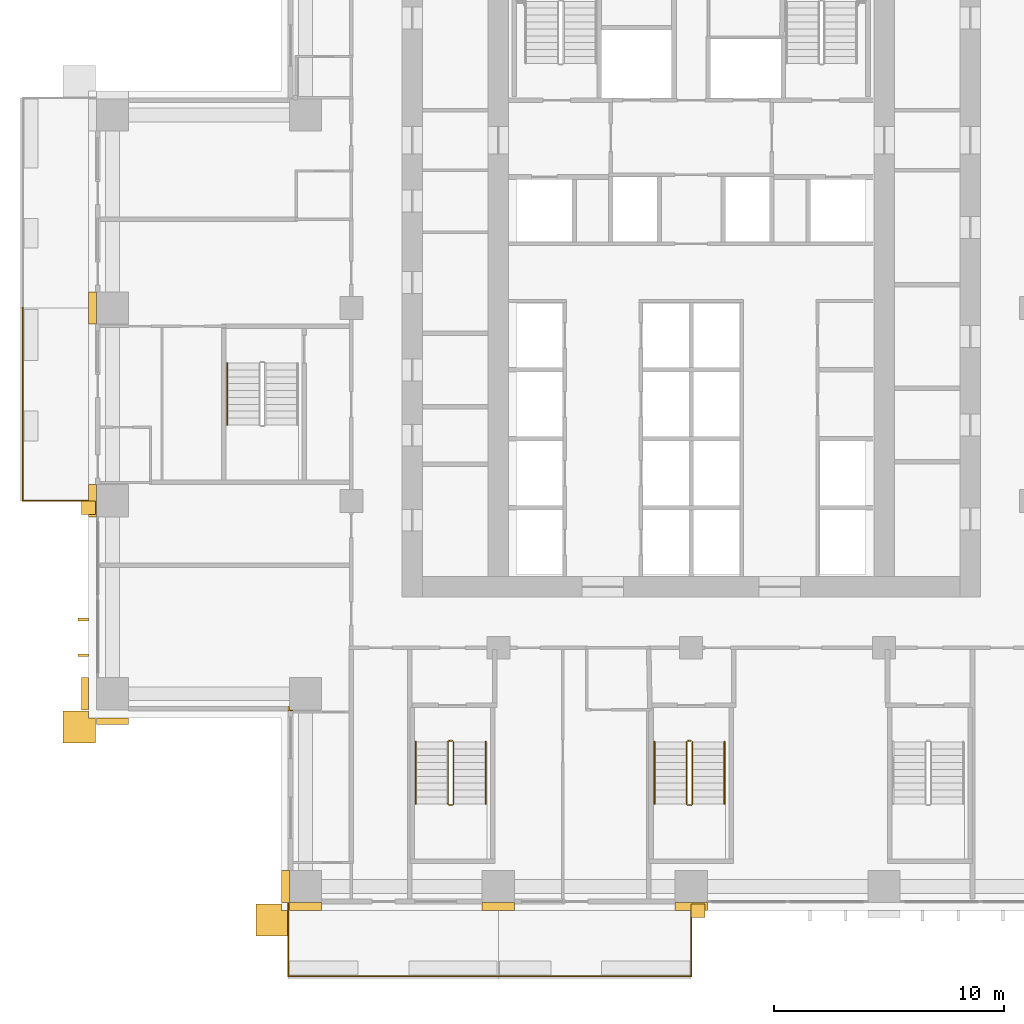
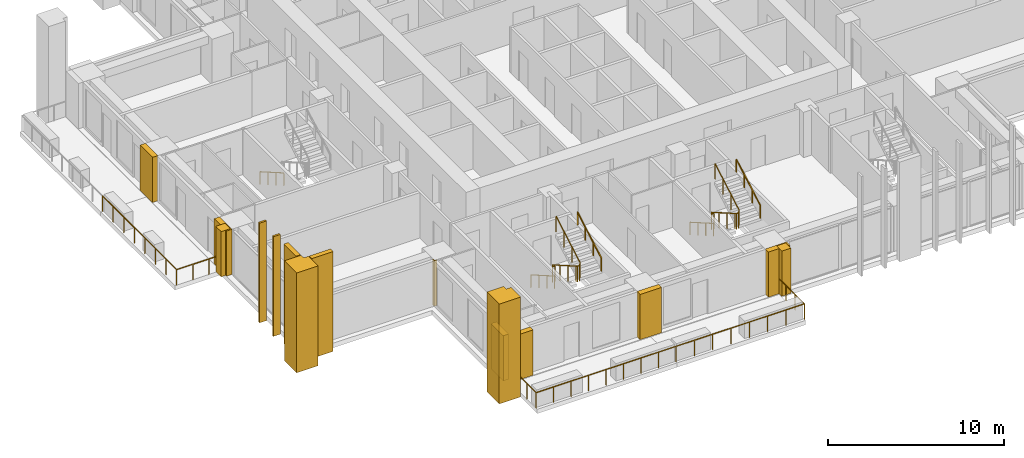
# One storey, part 14 of 18: 15 coverings, 10 railings.
"""IFC4 building model written with IfcOpenShell, lengths in metres."""

from ifc_helpers import new_model, si_unit, direction, frame, origin, origin_2d, place, context, subcontext, project, spatial, polyline, rectangle, outline, extrude, material, layer, layer_set, type_object, element, save


model = new_model("IFC4")

# Units and contexts
model_context = context("Model", 3, precision=1e-05, world=origin(), true_north=direction((0.0, 1.0)))
body_context = subcontext(model_context, "Body", "Model", "MODEL_VIEW")
ifc_project = project(units=[si_unit("LENGTHUNIT", "METRE"), si_unit("AREAUNIT", "SQUARE_METRE"), si_unit("VOLUMEUNIT", "CUBIC_METRE"), si_unit("PLANEANGLEUNIT", "RADIAN"), si_unit("MASSUNIT", "GRAM", prefix="KILO")], contexts=[model_context])

# Site, building, storey
site_placement = place(None, origin())
site = spatial("IfcSite", under=ifc_project, at=site_placement, CompositionType="ELEMENT")
building_placement = place(site_placement, origin())
building = spatial("IfcBuilding", under=site, at=building_placement, Name="Vermilion Ogive Tower", CompositionType="ELEMENT")
storey_placement = place(building_placement, frame((0.0, 0.0, 55.199951171875)))
storey = spatial("IfcBuildingStorey", under=building, at=storey_placement, Name="L12", CompositionType="ELEMENT", Elevation=55.199951171875)

# Railings
ifc_material_1 = material(Name="Stainless steel and glass", Category="steel")
railing_type_1 = type_object("IfcRailingType", Name="Balcony guard", PredefinedType="GUARDRAIL", material=ifc_material_1)
railing_1_placement = place(storey_placement, frame((-17.550048828125, -21.75, -0.0400390625)))
element("IfcRailing", 1, at=railing_1_placement, inside=storey, type_object=railing_type_1, Name="Guard S01", PredefinedType="GUARDRAIL", context=body_context, shape_type="SweptSolid", body=[
    extrude(rectangle(XDim=0.048095703125, YDim=0.048095703125, at=origin_2d()), frame((0.0, 0.0, 1.076171875), z_axis=(0.0, -1.0, 0.0), x_axis=(1.0, 0.0, 0.0)), (0.0, 0.0, 1.0), 3.159912109375),
    extrude(rectangle(XDim=0.048095703125, YDim=0.048095703125, at=origin_2d()), frame((0.0, -3.159912109375, 1.076171875), z_axis=(1.0, 0.0, 0.0), x_axis=(0.0, 1.0, 0.0)), (0.0, 0.0, 1.0), 9.150146484375),
    extrude(rectangle(XDim=0.0419921875, YDim=0.0419921875, at=origin_2d()), origin(), (0.0, 0.0, 1.0), 1.052001953125),
    extrude(rectangle(XDim=0.0419921875, YDim=0.0419921875, at=origin_2d()), frame((0.0, -1.05322265625, 0.0)), (0.0, 0.0, 1.0), 1.052001953125),
    extrude(rectangle(XDim=0.0419921875, YDim=0.0419921875, at=origin_2d()), frame((0.0, -2.106689453125, 0.0)), (0.0, 0.0, 1.0), 1.052001953125),
    extrude(rectangle(XDim=0.0419921875, YDim=0.0419921875, at=origin_2d()), frame((0.0, -3.159912109375, 0.0)), (0.0, 0.0, 1.0), 1.052001953125),
    extrude(rectangle(XDim=0.0419921875, YDim=0.0419921875, at=origin_2d()), frame((1.143798828125, -3.159912109375, 0.0)), (0.0, 0.0, 1.0), 1.052001953125),
    extrude(rectangle(XDim=0.0419921875, YDim=0.0419921875, at=origin_2d()), frame((2.28759765625, -3.159912109375, 0.0)), (0.0, 0.0, 1.0), 1.052001953125),
    extrude(rectangle(XDim=0.0419921875, YDim=0.0419921875, at=origin_2d()), frame((3.431396484375, -3.159912109375, 0.0)), (0.0, 0.0, 1.0), 1.052001953125),
    extrude(rectangle(XDim=0.0419921875, YDim=0.0419921875, at=origin_2d()), frame((4.5751953125, -3.159912109375, 0.0)), (0.0, 0.0, 1.0), 1.052001953125),
    extrude(rectangle(XDim=0.0419921875, YDim=0.0419921875, at=origin_2d()), frame((5.71875, -3.159912109375, 0.0)), (0.0, 0.0, 1.0), 1.052001953125),
    extrude(rectangle(XDim=0.0419921875, YDim=0.0419921875, at=origin_2d()), frame((6.862548828125, -3.159912109375, 0.0)), (0.0, 0.0, 1.0), 1.052001953125),
    extrude(rectangle(XDim=0.0419921875, YDim=0.0419921875, at=origin_2d()), frame((8.00634765625, -3.159912109375, 0.0)), (0.0, 0.0, 1.0), 1.052001953125),
    extrude(rectangle(XDim=0.0419921875, YDim=0.0419921875, at=origin_2d()), frame((9.150146484375, -3.159912109375, 0.0)), (0.0, 0.0, 1.0), 1.052001953125),
])
railing_2_placement = place(storey_placement, frame((-8.39990234375, -24.909912109375, -0.0400390625)))
element("IfcRailing", 2, at=railing_2_placement, inside=storey, type_object=railing_type_1, Name="Guard S02", PredefinedType="GUARDRAIL", context=body_context, shape_type="SweptSolid", body=[
    extrude(rectangle(XDim=0.048095703125, YDim=0.048095703125, at=origin_2d()), frame((0.0, 0.0, 1.076171875), z_axis=(1.0, 0.0, 0.0), x_axis=(0.0, 1.0, 0.0)), (0.0, 0.0, 1.0), 8.39990234375),
    extrude(rectangle(XDim=0.048095703125, YDim=0.048095703125, at=origin_2d()), frame((8.39990234375, 0.0, 1.076171875), z_axis=(0.0, 1.0, 0.0), x_axis=(-1.0, 0.0, 0.0)), (0.0, 0.0, 1.0), 3.159912109375),
    extrude(rectangle(XDim=0.0419921875, YDim=0.0419921875, at=origin_2d()), origin(), (0.0, 0.0, 1.0), 1.052001953125),
    extrude(rectangle(XDim=0.0419921875, YDim=0.0419921875, at=origin_2d()), frame((1.199951171875, 0.0, 0.0)), (0.0, 0.0, 1.0), 1.052001953125),
    extrude(rectangle(XDim=0.0419921875, YDim=0.0419921875, at=origin_2d()), frame((2.39990234375, 0.0, 0.0)), (0.0, 0.0, 1.0), 1.052001953125),
    extrude(rectangle(XDim=0.0419921875, YDim=0.0419921875, at=origin_2d()), frame((3.599853515625, 0.0, 0.0)), (0.0, 0.0, 1.0), 1.052001953125),
    extrude(rectangle(XDim=0.0419921875, YDim=0.0419921875, at=origin_2d()), frame((4.800048828125, 0.0, 0.0)), (0.0, 0.0, 1.0), 1.052001953125),
    extrude(rectangle(XDim=0.0419921875, YDim=0.0419921875, at=origin_2d()), frame((6.0, 0.0, 0.0)), (0.0, 0.0, 1.0), 1.052001953125),
    extrude(rectangle(XDim=0.0419921875, YDim=0.0419921875, at=origin_2d()), frame((7.199951171875, 0.0, 0.0)), (0.0, 0.0, 1.0), 1.052001953125),
    extrude(rectangle(XDim=0.0419921875, YDim=0.0419921875, at=origin_2d()), frame((8.39990234375, 0.0, 0.0)), (0.0, 0.0, 1.0), 1.052001953125),
    extrude(rectangle(XDim=0.0419921875, YDim=0.0419921875, at=origin_2d()), frame((8.39990234375, 1.05322265625, 0.0)), (0.0, 0.0, 1.0), 1.052001953125),
    extrude(rectangle(XDim=0.0419921875, YDim=0.0419921875, at=origin_2d()), frame((8.39990234375, 2.106689453125, 0.0)), (0.0, 0.0, 1.0), 1.052001953125),
    extrude(rectangle(XDim=0.0419921875, YDim=0.0419921875, at=origin_2d()), frame((8.39990234375, 3.159912109375, 0.0)), (0.0, 0.0, 1.0), 1.052001953125),
])
railing_3_placement = place(storey_placement, frame((-29.110107421875, 4.199951171875, -0.0400390625)))
element("IfcRailing", 3, at=railing_3_placement, inside=storey, type_object=railing_type_1, Name="Guard W02", PredefinedType="GUARDRAIL", context=body_context, shape_type="SweptSolid", body=[
    extrude(rectangle(XDim=0.048095703125, YDim=0.048095703125, at=origin_2d()), frame((0.0, 0.0, 1.076171875), z_axis=(0.0, -1.0, 0.0), x_axis=(1.0, 0.0, 0.0)), (0.0, 0.0, 1.0), 8.39990234375),
    extrude(rectangle(XDim=0.048095703125, YDim=0.048095703125, at=origin_2d()), frame((0.0, -8.39990234375, 1.076171875), z_axis=(1.0, 0.0, 0.0), x_axis=(0.0, 1.0, 0.0)), (0.0, 0.0, 1.0), 3.16015625),
    extrude(rectangle(XDim=0.0419921875, YDim=0.0419921875, at=origin_2d()), origin(), (0.0, 0.0, 1.0), 1.052001953125),
    extrude(rectangle(XDim=0.0419921875, YDim=0.0419921875, at=origin_2d()), frame((0.0, -1.199951171875, 0.0)), (0.0, 0.0, 1.0), 1.052001953125),
    extrude(rectangle(XDim=0.0419921875, YDim=0.0419921875, at=origin_2d()), frame((0.0, -2.39990234375, 0.0)), (0.0, 0.0, 1.0), 1.052001953125),
    extrude(rectangle(XDim=0.0419921875, YDim=0.0419921875, at=origin_2d()), frame((0.0, -3.599853515625, 0.0)), (0.0, 0.0, 1.0), 1.052001953125),
    extrude(rectangle(XDim=0.0419921875, YDim=0.0419921875, at=origin_2d()), frame((0.0, -4.800048828125, 0.0)), (0.0, 0.0, 1.0), 1.052001953125),
    extrude(rectangle(XDim=0.0419921875, YDim=0.0419921875, at=origin_2d()), frame((0.0, -6.0, 0.0)), (0.0, 0.0, 1.0), 1.052001953125),
    extrude(rectangle(XDim=0.0419921875, YDim=0.0419921875, at=origin_2d()), frame((0.0, -7.199951171875, 0.0)), (0.0, 0.0, 1.0), 1.052001953125),
    extrude(rectangle(XDim=0.0419921875, YDim=0.0419921875, at=origin_2d()), frame((0.0, -8.39990234375, 0.0)), (0.0, 0.0, 1.0), 1.052001953125),
    extrude(rectangle(XDim=0.0419921875, YDim=0.0419921875, at=origin_2d()), frame((1.053466796875, -8.39990234375, 0.0)), (0.0, 0.0, 1.0), 1.052001953125),
    extrude(rectangle(XDim=0.0419921875, YDim=0.0419921875, at=origin_2d()), frame((2.106689453125, -8.39990234375, 0.0)), (0.0, 0.0, 1.0), 1.052001953125),
    extrude(rectangle(XDim=0.0419921875, YDim=0.0419921875, at=origin_2d()), frame((3.16015625, -8.39990234375, 0.0)), (0.0, 0.0, 1.0), 1.052001953125),
])

# Coverings
ifc_material_2 = material(Name="Glazed ceramic screen")
ifc_layer = layer(ifc_material_2, 0.14990234375)
ifc_layer_set = layer_set([ifc_layer], Name="Ceramic solar screen fin")
covering_type_1 = type_object("IfcCoveringType", Name="Ceramic solar screen fin", PredefinedType="CLADDING", material=ifc_layer_set)
covering_1_placement = place(storey_placement, frame((0.0, 0.0, -0.320068359375)))
element("IfcCovering", 4, at=covering_1_placement, inside=storey, type_object=covering_type_1, Name="Solar screen blade W971", PredefinedType="CLADDING", context=body_context, shape_type="SweptSolid", body=[
    extrude(outline(polyline([(-26.699951171875, -9.31494140625), (-26.699951171875, -9.43505859375), (-26.25, -9.43505859375), (-26.25, -9.31494140625), (-26.699951171875, -9.31494140625)])), origin(), (0.0, 0.0, 1.0), 6.900146484375),
])
covering_2_placement = place(storey_placement, frame((0.0, 0.0, -0.320068359375)))
element("IfcCovering", 5, at=covering_2_placement, inside=storey, type_object=covering_type_1, Name="Solar screen blade W972", PredefinedType="CLADDING", context=body_context, shape_type="SweptSolid", body=[
    extrude(outline(polyline([(-26.699951171875, -10.864990234375), (-26.699951171875, -10.985107421875), (-26.25, -10.985107421875), (-26.25, -10.864990234375), (-26.699951171875, -10.864990234375)])), origin(), (0.0, 0.0, 1.0), 6.900146484375),
])

# Railings
ifc_material_3 = material(Name="Steel S355 painted", Category="steel")
railing_type_2 = type_object("IfcRailingType", Name="Stair guard 1100", PredefinedType="GUARDRAIL", material=ifc_material_3)
railing_4_placement = place(storey_placement, frame((-10.39990234375, -14.64990234375, 0.0)))
element("IfcRailing", 6, at=railing_4_placement, inside=storey, type_object=railing_type_2, Name="L12 ST3 stair guard 4", PredefinedType="GUARDRAIL", context=body_context, shape_type="SweptSolid", body=[
    extrude(rectangle(XDim=0.048095703125, YDim=0.048095703125, at=origin_2d()), frame((0.0, 0.0, 1.076171875), z_axis=(-1.0, 0.0, 0.0), x_axis=(0.0, -1.0, 0.0)), (0.0, 0.0, 1.0), 0.150146484375),
    extrude(rectangle(XDim=0.048095703125, YDim=0.048095703125, at=origin_2d()), frame((-0.150146484375, 0.0, 1.076171875), z_axis=(-0.268277960024, -0.268277960024, 0.925231793839), x_axis=(0.707106781187, -0.707106781187, 0.0)), (0.0, 0.0, 1.0), 0.1865234375),
    extrude(rectangle(XDim=0.048095703125, YDim=0.048095703125, at=origin_2d()), frame((-0.2001953125, -0.050048828125, 1.24853515625), z_axis=(0.0, -0.866903762492, 0.498475542607), x_axis=(1.0, 0.0, 0.0)), (0.0, 0.0, 1.0), 3.114501953125),
    extrude(rectangle(XDim=0.048095703125, YDim=0.048095703125, at=origin_2d()), frame((-0.2001953125, -2.75, 2.80126953125), z_axis=(0.707106781187, -0.707106781187, 0.0), x_axis=(0.707106781187, 0.707106781187, 0.0)), (0.0, 0.0, 1.0), 0.07080078125),
    extrude(rectangle(XDim=0.048095703125, YDim=0.048095703125, at=origin_2d()), frame((-0.150146484375, -2.800048828125, 2.80126953125), z_axis=(1.0, 0.0, 0.0), x_axis=(0.0, 1.0, 0.0)), (0.0, 0.0, 1.0), 0.150146484375),
    extrude(rectangle(XDim=0.048095703125, YDim=0.048095703125, at=origin_2d()), frame((0.0, -2.800048828125, 2.80126953125), z_axis=(0.267386790225, 0.268697509785, 0.925368009307), x_axis=(-0.708833529934, 0.705375805398, 0.0)), (0.0, 0.0, 1.0), 0.186279296875),
    extrude(rectangle(XDim=0.048095703125, YDim=0.048095703125, at=origin_2d()), frame((0.0498046875, -2.75, 2.9736328125), z_axis=(0.0, 0.866903762492, 0.498475542607), x_axis=(-1.0, 0.0, 0.0)), (0.0, 0.0, 1.0), 3.114501953125),
    extrude(rectangle(XDim=0.0419921875, YDim=0.0419921875, at=origin_2d()), origin(), (0.0, 0.0, 1.0), 1.052001953125),
    extrude(rectangle(XDim=0.0419921875, YDim=0.0419921875, at=origin_2d()), frame((-0.150146484375, 0.0, 0.0)), (0.0, 0.0, 1.0), 1.052001953125),
    extrude(rectangle(XDim=0.0419921875, YDim=0.0419921875, at=origin_2d()), frame((-0.2001953125, -0.050048828125, 0.172607421875)), (0.0, 0.0, 1.0), 1.052001953125),
    extrude(rectangle(XDim=0.0419921875, YDim=0.0419921875, at=origin_2d()), frame((-0.2001953125, -0.949951171875, 0.690185546875)), (0.0, 0.0, 1.0), 1.052001953125),
    extrude(rectangle(XDim=0.0419921875, YDim=0.0419921875, at=origin_2d()), frame((-0.2001953125, -1.85009765625, 1.20751953125)), (0.0, 0.0, 1.0), 1.052001953125),
    extrude(rectangle(XDim=0.0419921875, YDim=0.0419921875, at=origin_2d()), frame((-0.2001953125, -2.75, 1.72509765625)), (0.0, 0.0, 1.0), 1.052001953125),
    extrude(rectangle(XDim=0.0419921875, YDim=0.0419921875, at=origin_2d()), frame((-0.150146484375, -2.800048828125, 1.72509765625)), (0.0, 0.0, 1.0), 1.052001953125),
    extrude(rectangle(XDim=0.0419921875, YDim=0.0419921875, at=origin_2d()), frame((0.0, -2.800048828125, 1.72509765625)), (0.0, 0.0, 1.0), 1.052001953125),
    extrude(rectangle(XDim=0.0419921875, YDim=0.0419921875, at=origin_2d()), frame((0.0498046875, -2.75, 1.8974609375)), (0.0, 0.0, 1.0), 1.052001953125),
    extrude(rectangle(XDim=0.0419921875, YDim=0.0419921875, at=origin_2d()), frame((0.0498046875, -1.85009765625, 2.4150390625)), (0.0, 0.0, 1.0), 1.052001953125),
    extrude(rectangle(XDim=0.0419921875, YDim=0.0419921875, at=origin_2d()), frame((0.0498046875, -0.949951171875, 2.932373046875)), (0.0, 0.0, 1.0), 1.052001953125),
    extrude(rectangle(XDim=0.0419921875, YDim=0.0419921875, at=origin_2d()), frame((0.0498046875, -0.050048828125, 3.449951171875)), (0.0, 0.0, 1.0), 1.052001953125),
])
railing_5_placement = place(storey_placement, frame((0.0, -14.64990234375, 0.0)))
element("IfcRailing", 7, at=railing_5_placement, inside=storey, type_object=railing_type_2, Name="L12 ST4 stair guard 4", PredefinedType="GUARDRAIL", context=body_context, shape_type="SweptSolid", body=[
    extrude(rectangle(XDim=0.048095703125, YDim=0.048095703125, at=origin_2d()), frame((0.0, 0.0, 1.076171875), z_axis=(-1.0, 0.0, 0.0), x_axis=(0.0, -1.0, 0.0)), (0.0, 0.0, 1.0), 0.14990234375),
    extrude(rectangle(XDim=0.048095703125, YDim=0.048095703125, at=origin_2d()), frame((-0.14990234375, 0.0, 1.076171875), z_axis=(-0.268277960024, -0.268277960024, 0.925231793839), x_axis=(0.707106781187, -0.707106781187, 0.0)), (0.0, 0.0, 1.0), 0.1865234375),
    extrude(rectangle(XDim=0.048095703125, YDim=0.048095703125, at=origin_2d()), frame((-0.199951171875, -0.050048828125, 1.24853515625), z_axis=(0.0, -0.866903762492, 0.498475542607), x_axis=(1.0, 0.0, 0.0)), (0.0, 0.0, 1.0), 3.114501953125),
    extrude(rectangle(XDim=0.048095703125, YDim=0.048095703125, at=origin_2d()), frame((-0.199951171875, -2.75, 2.80126953125), z_axis=(0.707106781187, -0.707106781187, 0.0), x_axis=(0.707106781187, 0.707106781187, 0.0)), (0.0, 0.0, 1.0), 0.07080078125),
    extrude(rectangle(XDim=0.048095703125, YDim=0.048095703125, at=origin_2d()), frame((-0.14990234375, -2.800048828125, 2.80126953125), z_axis=(1.0, 0.0, 0.0), x_axis=(0.0, 1.0, 0.0)), (0.0, 0.0, 1.0), 0.14990234375),
    extrude(rectangle(XDim=0.048095703125, YDim=0.048095703125, at=origin_2d()), frame((0.0, -2.800048828125, 2.80126953125), z_axis=(0.268603158521, 0.268603158521, 0.925043072762), x_axis=(-0.707106781187, 0.707106781187, 0.0)), (0.0, 0.0, 1.0), 0.186279296875),
    extrude(rectangle(XDim=0.048095703125, YDim=0.048095703125, at=origin_2d()), frame((0.050048828125, -2.75, 2.9736328125), z_axis=(0.0, 0.866903762492, 0.498475542607), x_axis=(-1.0, 0.0, 0.0)), (0.0, 0.0, 1.0), 3.114501953125),
    extrude(rectangle(XDim=0.0419921875, YDim=0.0419921875, at=origin_2d()), origin(), (0.0, 0.0, 1.0), 1.052001953125),
    extrude(rectangle(XDim=0.0419921875, YDim=0.0419921875, at=origin_2d()), frame((-0.14990234375, 0.0, 0.0)), (0.0, 0.0, 1.0), 1.052001953125),
    extrude(rectangle(XDim=0.0419921875, YDim=0.0419921875, at=origin_2d()), frame((-0.199951171875, -0.050048828125, 0.172607421875)), (0.0, 0.0, 1.0), 1.052001953125),
    extrude(rectangle(XDim=0.0419921875, YDim=0.0419921875, at=origin_2d()), frame((-0.199951171875, -0.949951171875, 0.690185546875)), (0.0, 0.0, 1.0), 1.052001953125),
    extrude(rectangle(XDim=0.0419921875, YDim=0.0419921875, at=origin_2d()), frame((-0.199951171875, -1.85009765625, 1.20751953125)), (0.0, 0.0, 1.0), 1.052001953125),
    extrude(rectangle(XDim=0.0419921875, YDim=0.0419921875, at=origin_2d()), frame((-0.199951171875, -2.75, 1.72509765625)), (0.0, 0.0, 1.0), 1.052001953125),
    extrude(rectangle(XDim=0.0419921875, YDim=0.0419921875, at=origin_2d()), frame((-0.14990234375, -2.800048828125, 1.72509765625)), (0.0, 0.0, 1.0), 1.052001953125),
    extrude(rectangle(XDim=0.0419921875, YDim=0.0419921875, at=origin_2d()), frame((0.0, -2.800048828125, 1.72509765625)), (0.0, 0.0, 1.0), 1.052001953125),
    extrude(rectangle(XDim=0.0419921875, YDim=0.0419921875, at=origin_2d()), frame((0.050048828125, -2.75, 1.8974609375)), (0.0, 0.0, 1.0), 1.052001953125),
    extrude(rectangle(XDim=0.0419921875, YDim=0.0419921875, at=origin_2d()), frame((0.050048828125, -1.85009765625, 2.4150390625)), (0.0, 0.0, 1.0), 1.052001953125),
    extrude(rectangle(XDim=0.0419921875, YDim=0.0419921875, at=origin_2d()), frame((0.050048828125, -0.949951171875, 2.932373046875)), (0.0, 0.0, 1.0), 1.052001953125),
    extrude(rectangle(XDim=0.0419921875, YDim=0.0419921875, at=origin_2d()), frame((0.050048828125, -0.050048828125, 3.449951171875)), (0.0, 0.0, 1.0), 1.052001953125),
])
ifc_material_4 = material(Name="Stainless steel", Category="steel")
railing_type_3 = type_object("IfcRailingType", Name="Stair handrail 900", PredefinedType="HANDRAIL", material=ifc_material_4)
railing_6_placement = place(storey_placement, frame((-12.0, -14.699951171875, 0.172607421875)))
element("IfcRailing", 8, at=railing_6_placement, inside=storey, type_object=railing_type_3, Name="L12 ST3 stair handrail 1", PredefinedType="HANDRAIL", context=body_context, shape_type="SweptSolid", body=[
    extrude(rectangle(XDim=0.048095703125, YDim=0.048095703125, at=origin_2d()), frame((0.0, 0.0, 0.8759765625), z_axis=(0.0, -0.866903762492, 0.498475542607), x_axis=(1.0, 0.0, 0.0)), (0.0, 0.0, 1.0), 3.114501953125),
    extrude(rectangle(XDim=0.0419921875, YDim=0.0419921875, at=origin_2d()), origin(), (0.0, 0.0, 1.0), 0.851806640625),
    extrude(rectangle(XDim=0.0419921875, YDim=0.0419921875, at=origin_2d()), frame((0.0, -0.89990234375, 0.517578125)), (0.0, 0.0, 1.0), 0.851806640625),
    extrude(rectangle(XDim=0.0419921875, YDim=0.0419921875, at=origin_2d()), frame((0.0, -1.800048828125, 1.034912109375)), (0.0, 0.0, 1.0), 0.851806640625),
    extrude(rectangle(XDim=0.0419921875, YDim=0.0419921875, at=origin_2d()), frame((0.0, -2.699951171875, 1.552490234375)), (0.0, 0.0, 1.0), 0.851806640625),
])
railing_7_placement = place(storey_placement, frame((-8.949951171875, -17.39990234375, 1.8974609375)))
element("IfcRailing", 9, at=railing_7_placement, inside=storey, type_object=railing_type_3, Name="L12 ST3 stair handrail 2", PredefinedType="HANDRAIL", context=body_context, shape_type="SweptSolid", body=[
    extrude(rectangle(XDim=0.048095703125, YDim=0.048095703125, at=origin_2d()), frame((0.0, 0.0, 0.8759765625), z_axis=(0.0, 0.866903762492, 0.498475542607), x_axis=(-1.0, 0.0, 0.0)), (0.0, 0.0, 1.0), 3.114501953125),
    extrude(rectangle(XDim=0.0419921875, YDim=0.0419921875, at=origin_2d()), origin(), (0.0, 0.0, 1.0), 0.851806640625),
    extrude(rectangle(XDim=0.0419921875, YDim=0.0419921875, at=origin_2d()), frame((0.0, 0.89990234375, 0.517578125)), (0.0, 0.0, 1.0), 0.851806640625),
    extrude(rectangle(XDim=0.0419921875, YDim=0.0419921875, at=origin_2d()), frame((0.0, 1.800048828125, 1.034912109375)), (0.0, 0.0, 1.0), 0.851806640625),
    extrude(rectangle(XDim=0.0419921875, YDim=0.0419921875, at=origin_2d()), frame((0.0, 2.699951171875, 1.552490234375)), (0.0, 0.0, 1.0), 0.851806640625),
])
railing_8_placement = place(storey_placement, frame((-1.60009765625, -14.699951171875, 0.172607421875)))
element("IfcRailing", 10, at=railing_8_placement, inside=storey, type_object=railing_type_3, Name="L12 ST4 stair handrail 1", PredefinedType="HANDRAIL", context=body_context, shape_type="SweptSolid", body=[
    extrude(rectangle(XDim=0.048095703125, YDim=0.048095703125, at=origin_2d()), frame((0.0, 0.0, 0.8759765625), z_axis=(0.0, -0.866903762492, 0.498475542607), x_axis=(1.0, 0.0, 0.0)), (0.0, 0.0, 1.0), 3.114501953125),
    extrude(rectangle(XDim=0.0419921875, YDim=0.0419921875, at=origin_2d()), origin(), (0.0, 0.0, 1.0), 0.851806640625),
    extrude(rectangle(XDim=0.0419921875, YDim=0.0419921875, at=origin_2d()), frame((0.0, -0.89990234375, 0.517578125)), (0.0, 0.0, 1.0), 0.851806640625),
    extrude(rectangle(XDim=0.0419921875, YDim=0.0419921875, at=origin_2d()), frame((0.0, -1.800048828125, 1.034912109375)), (0.0, 0.0, 1.0), 0.851806640625),
    extrude(rectangle(XDim=0.0419921875, YDim=0.0419921875, at=origin_2d()), frame((0.0, -2.699951171875, 1.552490234375)), (0.0, 0.0, 1.0), 0.851806640625),
])
railing_9_placement = place(storey_placement, frame((1.449951171875, -17.39990234375, 1.8974609375)))
element("IfcRailing", 11, at=railing_9_placement, inside=storey, type_object=railing_type_3, Name="L12 ST4 stair handrail 2", PredefinedType="HANDRAIL", context=body_context, shape_type="SweptSolid", body=[
    extrude(rectangle(XDim=0.048095703125, YDim=0.048095703125, at=origin_2d()), frame((0.0, 0.0, 0.8759765625), z_axis=(0.0, 0.866903762492, 0.498475542607), x_axis=(-1.0, 0.0, 0.0)), (0.0, 0.0, 1.0), 3.114501953125),
    extrude(rectangle(XDim=0.0419921875, YDim=0.0419921875, at=origin_2d()), origin(), (0.0, 0.0, 1.0), 0.851806640625),
    extrude(rectangle(XDim=0.0419921875, YDim=0.0419921875, at=origin_2d()), frame((0.0, 0.89990234375, 0.517578125)), (0.0, 0.0, 1.0), 0.851806640625),
    extrude(rectangle(XDim=0.0419921875, YDim=0.0419921875, at=origin_2d()), frame((0.0, 1.800048828125, 1.034912109375)), (0.0, 0.0, 1.0), 0.851806640625),
    extrude(rectangle(XDim=0.0419921875, YDim=0.0419921875, at=origin_2d()), frame((0.0, 2.699951171875, 1.552490234375)), (0.0, 0.0, 1.0), 0.851806640625),
])
railing_10_placement = place(storey_placement, frame((-20.199951171875, 1.800048828125, 0.172607421875)))
element("IfcRailing", 12, at=railing_10_placement, inside=storey, type_object=railing_type_3, Name="L12 ST9 stair handrail 1", PredefinedType="HANDRAIL", context=body_context, shape_type="SweptSolid", body=[
    extrude(rectangle(XDim=0.048095703125, YDim=0.048095703125, at=origin_2d()), frame((0.0, 0.0, 0.8759765625), z_axis=(0.0, -0.866903762492, 0.498475542607), x_axis=(1.0, 0.0, 0.0)), (0.0, 0.0, 1.0), 3.114501953125),
    extrude(rectangle(XDim=0.0419921875, YDim=0.0419921875, at=origin_2d()), origin(), (0.0, 0.0, 1.0), 0.851806640625),
    extrude(rectangle(XDim=0.0419921875, YDim=0.0419921875, at=origin_2d()), frame((0.0, -0.89990234375, 0.517578125)), (0.0, 0.0, 1.0), 0.851806640625),
    extrude(rectangle(XDim=0.0419921875, YDim=0.0419921875, at=origin_2d()), frame((0.0, -1.800048828125, 1.034912109375)), (0.0, 0.0, 1.0), 0.851806640625),
    extrude(rectangle(XDim=0.0419921875, YDim=0.0419921875, at=origin_2d()), frame((0.0, -2.699951171875, 1.552490234375)), (0.0, 0.0, 1.0), 0.851806640625),
])

# Coverings
ifc_material_5 = material(Name="Stone cladding", Category="masonry")
covering_type_2 = type_object("IfcCoveringType", Name="Stone corner buttress", PredefinedType="CLADDING", material=ifc_material_5)
covering_3_placement = place(storey_placement, origin())
element("IfcCovering", 13, at=covering_3_placement, inside=storey, type_object=covering_type_2, Name="Stone crease pier SK", PredefinedType="CLADDING", context=body_context, shape_type="SweptSolid", body=[
    extrude(outline(polyline([(0.0, -22.35009765625), (0.60009765625, -22.35009765625), (0.60009765625, -21.75), (0.0, -21.75), (0.0, -22.35009765625)])), origin(), (0.0, 0.0, 1.0), 3.130126953125),
])
covering_4_placement = place(storey_placement, origin())
element("IfcCovering", 14, at=covering_4_placement, inside=storey, type_object=covering_type_2, Name="Stone crease pier WK", PredefinedType="CLADDING", context=body_context, shape_type="SweptSolid", body=[
    extrude(outline(polyline([(-26.550048828125, -4.199951171875), (-26.550048828125, -4.800048828125), (-25.949951171875, -4.800048828125), (-25.949951171875, -4.199951171875), (-26.550048828125, -4.199951171875)])), origin(), (0.0, 0.0, 1.0), 3.130126953125),
])
covering_5_placement = place(storey_placement, frame((0.0, 0.0, -0.320068359375)))
element("IfcCovering", 15, at=covering_5_placement, inside=storey, type_object=covering_type_2, Name="Stone corner buttress S1", PredefinedType="CLADDING", context=body_context, shape_type="SweptSolid", body=[
    extrude(outline(polyline([(-17.85009765625, -22.050048828125), (-17.550048828125, -22.050048828125), (-17.550048828125, -23.14990234375), (-18.949951171875, -23.14990234375), (-18.949951171875, -21.75), (-17.85009765625, -21.75), (-17.85009765625, -22.050048828125)])), origin(), (0.0, 0.0, 1.0), 6.900146484375),
])
covering_6_placement = place(storey_placement, frame((0.0, 0.0, -0.320068359375)))
element("IfcCovering", 16, at=covering_6_placement, inside=storey, type_object=covering_type_2, Name="Stone corner buttress X71", PredefinedType="CLADDING", context=body_context, shape_type="SweptSolid", body=[
    extrude(outline(polyline([(-26.25, -13.35009765625), (-26.25, -13.64990234375), (-25.949951171875, -13.64990234375), (-25.949951171875, -14.75), (-27.35009765625, -14.75), (-27.35009765625, -13.35009765625), (-26.25, -13.35009765625)])), origin(), (0.0, 0.0, 1.0), 6.900146484375),
])
ifc_material_6 = material(Name="Stone cladding", Category="masonry")
covering_type_3 = type_object("IfcCoveringType", Name="Stone pier", PredefinedType="CLADDING", material=ifc_material_6)
covering_7_placement = place(storey_placement, origin())
element("IfcCovering", 17, at=covering_7_placement, inside=storey, type_object=covering_type_3, Name="Stone corner pier X7E1", PredefinedType="CLADDING", context=body_context, shape_type="SweptSolid", body=[
    extrude(outline(polyline([(-17.5, -13.14990234375), (-17.5, -13.300048828125), (-17.35009765625, -13.300048828125), (-17.35009765625, -13.35009765625), (-17.550048828125, -13.35009765625), (-17.550048828125, -13.14990234375), (-17.5, -13.14990234375)])), origin(), (0.0, 0.0, 1.0), 3.130126953125),
])
covering_8_placement = place(storey_placement, frame((0.0, 0.0, -0.320068359375)))
element("IfcCovering", 18, at=covering_8_placement, inside=storey, type_object=covering_type_3, Name="Stone pier P-0252-126W", PredefinedType="CLADDING", context=body_context, shape_type="SweptSolid", body=[
    extrude(outline(polyline([(-26.550048828125, -13.300048828125), (-26.550048828125, -11.89990234375), (-26.25, -11.89990234375), (-26.25, -13.300048828125), (-26.550048828125, -13.300048828125)])), origin(), (0.0, 0.0, 1.0), 6.900146484375),
])
covering_9_placement = place(storey_placement, frame((0.0, 0.0, -0.320068359375)))
element("IfcCovering", 19, at=covering_9_placement, inside=storey, type_object=covering_type_3, Name="Stone pier P-0252-126X7", PredefinedType="CLADDING", context=body_context, shape_type="SweptSolid", body=[
    extrude(outline(polyline([(-25.89990234375, -13.949951171875), (-25.89990234375, -13.64990234375), (-24.5, -13.64990234375), (-24.5, -13.949951171875), (-25.89990234375, -13.949951171875)])), origin(), (0.0, 0.0, 1.0), 6.900146484375),
])
covering_10_placement = place(storey_placement, origin())
element("IfcCovering", 20, at=covering_10_placement, inside=storey, type_object=covering_type_3, Name="Stone pier P+0000-210", PredefinedType="CLADDING", context=body_context, shape_type="SweptSolid", body=[
    extrude(outline(polyline([(0.699951171875, -22.050048828125), (0.60009765625, -22.050048828125), (0.60009765625, -21.75), (0.0, -21.75), (0.0, -22.050048828125), (-0.699951171875, -22.050048828125), (-0.699951171875, -21.699951171875), (0.699951171875, -21.699951171875), (0.699951171875, -22.050048828125)])), origin(), (0.0, 0.0, 1.0), 3.130126953125),
])
covering_11_placement = place(storey_placement, origin())
element("IfcCovering", 21, at=covering_11_placement, inside=storey, type_object=covering_type_3, Name="Stone pier P-0084-210", PredefinedType="CLADDING", context=body_context, shape_type="SweptSolid", body=[
    extrude(outline(polyline([(-7.699951171875, -22.050048828125), (-9.10009765625, -22.050048828125), (-9.10009765625, -21.699951171875), (-7.699951171875, -21.699951171875), (-7.699951171875, -22.050048828125)])), origin(), (0.0, 0.0, 1.0), 3.130126953125),
])
covering_12_placement = place(storey_placement, origin())
element("IfcCovering", 22, at=covering_12_placement, inside=storey, type_object=covering_type_3, Name="Stone pier P-0168-210S", PredefinedType="CLADDING", context=body_context, shape_type="SweptSolid", body=[
    extrude(outline(polyline([(-16.10009765625, -22.050048828125), (-17.5, -22.050048828125), (-17.5, -21.699951171875), (-16.10009765625, -21.699951171875), (-16.10009765625, -22.050048828125)])), origin(), (0.0, 0.0, 1.0), 3.130126953125),
])
covering_13_placement = place(storey_placement, origin())
element("IfcCovering", 23, at=covering_13_placement, inside=storey, type_object=covering_type_3, Name="Stone pier P-0168-210X8", PredefinedType="CLADDING", context=body_context, shape_type="SweptSolid", body=[
    extrude(outline(polyline([(-17.85009765625, -20.300048828125), (-17.5, -20.300048828125), (-17.5, -21.699951171875), (-17.85009765625, -21.699951171875), (-17.85009765625, -20.300048828125)])), origin(), (0.0, 0.0, 1.0), 3.130126953125),
])
covering_14_placement = place(storey_placement, origin())
element("IfcCovering", 24, at=covering_14_placement, inside=storey, type_object=covering_type_3, Name="Stone pier P-0252+042", PredefinedType="CLADDING", context=body_context, shape_type="SweptSolid", body=[
    extrude(outline(polyline([(-26.25, 3.5), (-26.25, 4.89990234375), (-25.89990234375, 4.89990234375), (-25.89990234375, 3.5), (-26.25, 3.5)])), origin(), (0.0, 0.0, 1.0), 3.130126953125),
])
covering_15_placement = place(storey_placement, origin())
element("IfcCovering", 25, at=covering_15_placement, inside=storey, type_object=covering_type_3, Name="Stone pier P-0252-042", PredefinedType="CLADDING", context=body_context, shape_type="SweptSolid", body=[
    extrude(outline(polyline([(-26.25, -4.89990234375), (-26.25, -4.800048828125), (-25.949951171875, -4.800048828125), (-25.949951171875, -4.199951171875), (-26.25, -4.199951171875), (-26.25, -3.5), (-25.89990234375, -3.5), (-25.89990234375, -4.89990234375), (-26.25, -4.89990234375)])), origin(), (0.0, 0.0, 1.0), 3.130126953125),
])

save(model, "model.ifc")
